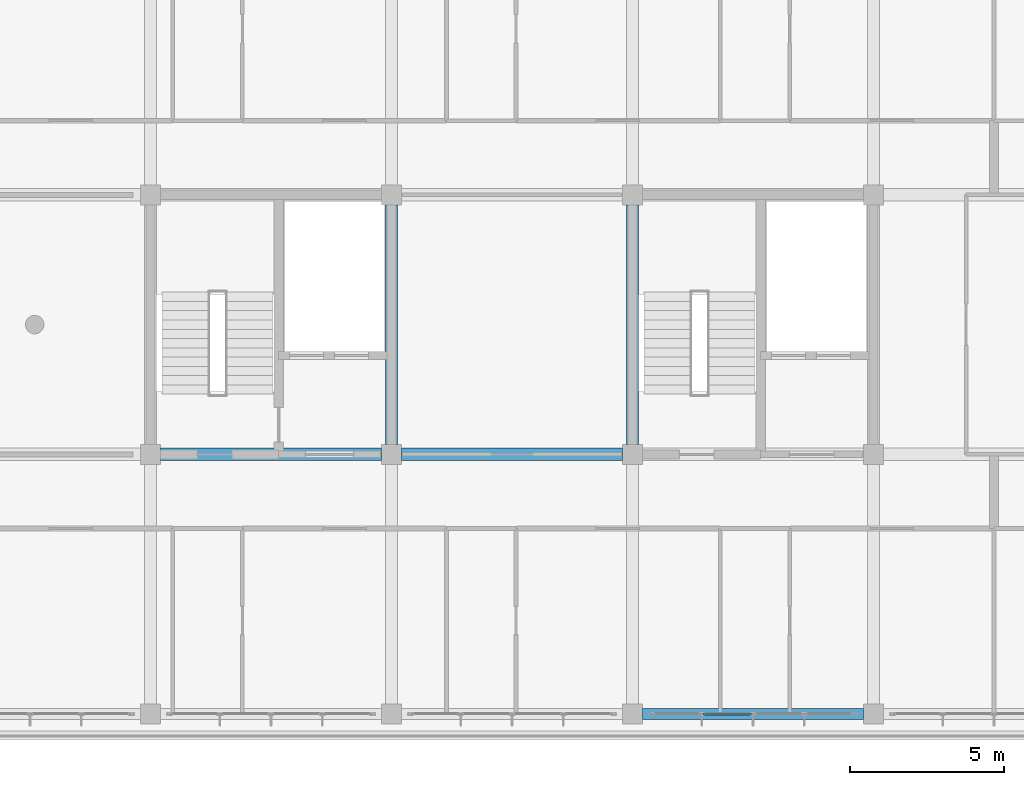
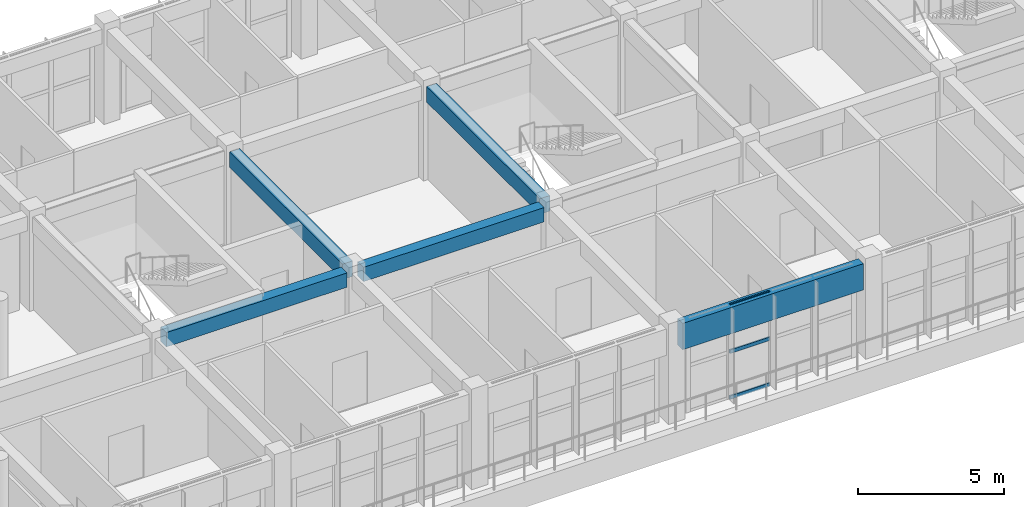
# One storey, part 14 of 57: 5 beams, 3 members, 1 element without a shape of its own.
"""IFC4 building model written with IfcOpenShell, lengths in metres."""

import ifcopenshell
import ifcopenshell.guid

model = None  # the IFC model being written
_history = None  # IfcOwnerHistory: only IFC2X3 demands one
_inside = {}  # id of a spatial element -> (the spatial element, [elements in it])
_under = {}  # id of a project, library or spatial element -> (it, [spatial elements below it])
_declared = {}  # id of a project -> (the project, [libraries it declares])
_typed = {}  # id of a type object -> (the type object, [elements of that type])
_made_of = {}  # id of a material, layer set ... -> (it, [elements and type objects made of it])


def new_model(schema):
    """Start an empty IFC model of exactly this schema.

    Asked for "IFC4X3", IfcOpenShell would pick the latest addendum, in which some entities
    have other attributes; the version numbers below select the first issue.
    IFC2X3 requires an IfcOwnerHistory on every rooted entity: one is made here for all.
    """
    global model, _history
    if schema == "IFC4X3":
        model = ifcopenshell.file(schema_version=(4, 3, 0, 0))
    else:
        model = ifcopenshell.file(schema=schema)
    _inside.clear()
    _under.clear()
    _declared.clear()
    _typed.clear()
    _made_of.clear()
    _history = None
    if model.schema == "IFC2X3":
        org = make("IfcOrganization", Name="unknown")
        user = make(
            "IfcPersonAndOrganization",
            ThePerson=make("IfcPerson", FamilyName="unknown"),
            TheOrganization=org,
        )
        app = make(
            "IfcApplication",
            ApplicationDeveloper=org,
            Version="unknown",
            ApplicationFullName="unknown",
            ApplicationIdentifier="unknown",
        )
        _history = make(
            "IfcOwnerHistory",
            OwningUser=user,
            OwningApplication=app,
            ChangeAction="ADDED",
            CreationDate=0,
        )
    return model


def make(cls, **values):
    """One entity of the class cls with the attributes given. An attribute that is None is left unset."""
    return model.create_entity(
        cls, **{name: value for name, value in values.items() if value is not None}
    )


def rooted(cls, **values):
    """An entity with a GlobalId (a new one), such as an element, a storey or a relation."""
    return make(cls, GlobalId=ifcopenshell.guid.new(), OwnerHistory=_history, **values)


def si_unit(unit_type, name, prefix=None):
    """IfcSIUnit, for example si_unit("LENGTHUNIT", "METRE", prefix="MILLI")."""
    return make("IfcSIUnit", UnitType=unit_type, Prefix=prefix, Name=name)


def assignment(units):
    """IfcUnitAssignment: the units of a project."""
    return None if units is None else make("IfcUnitAssignment", Units=units)


def point(xyz):
    """IfcCartesianPoint."""
    return None if xyz is None else make("IfcCartesianPoint", Coordinates=xyz)


def direction(xyz):
    """IfcDirection."""
    return None if xyz is None else make("IfcDirection", DirectionRatios=xyz)


def frame(location, z_axis=None, x_axis=None):
    """IfcAxis2Placement3D, a coordinate frame: its origin and axes. An axis left out is left unset."""
    return make(
        "IfcAxis2Placement3D",
        Location=point(location),
        Axis=direction(z_axis),
        RefDirection=direction(x_axis),
    )


def frame_2d(location, x_axis=None):
    """IfcAxis2Placement2D, a coordinate frame in the plane: its origin and x axis."""
    return make(
        "IfcAxis2Placement2D", Location=point(location), RefDirection=direction(x_axis)
    )


def origin():
    """The frame at (0, 0, 0) with its axes left unset."""
    return frame((0.0, 0.0, 0.0))


def origin_2d():
    """The frame at (0, 0) in the plane with its x axis left unset."""
    return frame_2d((0.0, 0.0))


def place(relative_to, where):
    """IfcLocalPlacement: puts the frame where relative to a parent placement (None: the world)."""
    return make(
        "IfcLocalPlacement", PlacementRelTo=relative_to, RelativePlacement=where
    )


def context(
    kind, dimensions, precision=None, world=None, true_north=None, identifier=None
):
    """IfcGeometricRepresentationContext, for example the 3D "Model" context."""
    return make(
        "IfcGeometricRepresentationContext",
        ContextIdentifier=identifier,
        ContextType=kind,
        CoordinateSpaceDimension=dimensions,
        Precision=precision,
        WorldCoordinateSystem=world,
        TrueNorth=true_north,
    )


def subcontext(parent, identifier, kind, view, scale=None):
    """IfcGeometricRepresentationSubContext, for example "Body" below "Model"."""
    return make(
        "IfcGeometricRepresentationSubContext",
        ContextIdentifier=identifier,
        ContextType=kind,
        ParentContext=parent,
        TargetScale=scale,
        TargetView=view,
    )


def project(units=None, contexts=None):
    """IfcProject with its units and contexts."""
    return rooted(
        "IfcProject",
        Name="project",
        RepresentationContexts=contexts,
        UnitsInContext=assignment(units),
    )


def spatial(cls, under=None, at=None, **own):
    """A site, building, storey or space (cls), placed at a placement, below another one or the project."""
    s = rooted(cls, ObjectPlacement=at, **own)
    if under is not None:
        _under.setdefault(under.id(), (under, []))[1].append(s)
    return s


def profile(cls, at=None, kind="AREA", **sizes):
    """A parametric profile (cls). Its sizes go by their IFC names, for example OverallWidth=200.0."""
    return make(cls, ProfileType=kind, Position=at, **sizes)


def rectangle(**sizes):
    """IfcRectangleProfileDef."""
    return profile("IfcRectangleProfileDef", **sizes)


def hollow_rectangle(**sizes):
    """IfcRectangleHollowProfileDef."""
    return profile("IfcRectangleHollowProfileDef", **sizes)


def extrude(swept, where, along, depth):
    """IfcExtrudedAreaSolid: the profile swept, set in the frame where, extruded along a direction by depth."""
    return make(
        "IfcExtrudedAreaSolid",
        SweptArea=swept,
        Position=where,
        ExtrudedDirection=direction(along),
        Depth=depth,
    )


def shape(context_of_items, identifier, shape_type, items):
    """IfcShapeRepresentation: the items that make up one representation, for example the "Body"."""
    return make(
        "IfcShapeRepresentation",
        ContextOfItems=context_of_items,
        RepresentationIdentifier=identifier,
        RepresentationType=shape_type,
        Items=items,
    )


def material(Name=None, Category=None):
    """IfcMaterial."""
    return make("IfcMaterial", Name=Name, Category=Category)


def layer(
    of_material, thickness, ventilated=None, Name=None, Category=None, Priority=None
):
    """IfcMaterialLayer: one layer of a wall or slab, of a material (None: an air gap)."""
    return make(
        "IfcMaterialLayer",
        Material=of_material,
        LayerThickness=thickness,
        IsVentilated=ventilated,
        Name=Name,
        Category=Category,
        Priority=Priority,
    )


def layer_set(layers, Name=None):
    """IfcMaterialLayerSet."""
    return make("IfcMaterialLayerSet", MaterialLayers=layers, LayerSetName=Name)


def material_profile(
    of_material, cross_section, Name=None, Category=None, Priority=None
):
    """IfcMaterialProfile: a cross section and its material."""
    return make(
        "IfcMaterialProfile",
        Name=Name,
        Material=of_material,
        Profile=cross_section,
        Priority=Priority,
        Category=Category,
    )


def profile_set(profiles, Name=None, composite=None):
    """IfcMaterialProfileSet."""
    return make(
        "IfcMaterialProfileSet",
        Name=Name,
        MaterialProfiles=profiles,
        CompositeProfile=composite,
    )


def made_of(thing, what):
    """Note that an element or type object is made of a material, layer set ...; save() writes the relation."""
    if what is not None:
        _made_of.setdefault(what.id(), (what, []))[1].append(thing)
    return thing


def type_object(cls, material=None, **own):
    """A type object (cls), such as IfcWallType, which elements share."""
    return made_of(rooted(cls, **own), material)


def element(
    cls,
    number,
    at=None,
    inside=None,
    cuts=None,
    type_object=None,
    material=None,
    context=None,
    identifier="Body",
    shape_type=None,
    held_by="IfcProductDefinitionShape",
    body=None,
    shapes=None,
    **own,
):
    """One element of the class cls, such as IfcWall. Its Tag is "e" and its number.

    at: its placement. inside: the storey or other place that contains it. cuts: it is an
    opening in that element (IfcRelVoidsElement). A single representation is given by context,
    identifier, shape_type and body (its items); several are given by shapes. held_by: the class
    of the entity that holds the representations. save() writes the other relations.
    """
    e = rooted(cls, Tag="e%d" % number, ObjectPlacement=at, **own)
    if body is not None:
        shapes = [shape(context, identifier, shape_type, body)]
    if shapes is not None:
        e.Representation = make(held_by, Representations=shapes)
    if inside is not None:
        _inside.setdefault(inside.id(), (inside, []))[1].append(e)
    if cuts is not None:
        rooted(
            "IfcRelVoidsElement", RelatingBuildingElement=cuts, RelatedOpeningElement=e
        )
    if type_object is not None:
        _typed.setdefault(type_object.id(), (type_object, []))[1].append(e)
    return made_of(e, material)


def aggregate(whole, parts):
    """IfcRelAggregates: a whole, such as a stair, and the parts it consists of."""
    return rooted("IfcRelAggregates", RelatingObject=whole, RelatedObjects=parts)


def save(model, path):
    """Write the relations noted so far, then the file.

    IfcRelAggregates (storeys below a building ...), IfcRelContainedInSpatialStructure (elements
    in a storey), IfcRelDefinesByType, IfcRelAssociatesMaterial and IfcRelDeclares: one each for
    every whole, place, type object, material and project.
    """
    for whole, parts in _under.values():
        aggregate(whole, parts)
    for where, things in _inside.values():
        rooted(
            "IfcRelContainedInSpatialStructure",
            RelatedElements=things,
            RelatingStructure=where,
        )
    for kind, things in _typed.values():
        rooted("IfcRelDefinesByType", RelatedObjects=things, RelatingType=kind)
    for what, things in _made_of.values():
        rooted("IfcRelAssociatesMaterial", RelatedObjects=things, RelatingMaterial=what)
    for by, libraries in _declared.values():
        rooted("IfcRelDeclares", RelatingContext=by, RelatedDefinitions=libraries)
    model.write(path)


model = new_model("IFC4")

# Units and contexts
model_context = context("Model", 3, precision=1e-05, world=origin(), true_north=direction((0.0, 1.0)))
body_context = subcontext(model_context, "Body", "Model", "MODEL_VIEW")
ifc_project = project(units=[si_unit("LENGTHUNIT", "METRE"), si_unit("AREAUNIT", "SQUARE_METRE"), si_unit("VOLUMEUNIT", "CUBIC_METRE"), si_unit("PLANEANGLEUNIT", "RADIAN"), si_unit("MASSUNIT", "GRAM", prefix="KILO")], contexts=[model_context])

# Site, building, storey
site_placement = place(None, origin())
site = spatial("IfcSite", under=ifc_project, at=site_placement, CompositionType="ELEMENT")
building_placement = place(site_placement, origin())
building = spatial("IfcBuilding", under=site, at=building_placement, Name="Zizhar Promenade General Hospital", CompositionType="ELEMENT")
storey_placement = place(building_placement, frame((0.0, 0.0, 22.199951171875)))
storey = spatial("IfcBuildingStorey", under=building, at=storey_placement, Name="L05", CompositionType="ELEMENT", Elevation=22.199951171875)

# Beams
ifc_material_1 = material(Name="Precast concrete C40/50", Category="concrete")
ifc_material_profile_1 = material_profile(ifc_material_1, rectangle(XDim=0.35009765625, YDim=1.10009765625, at=origin_2d()))
ifc_profile_set_1 = profile_set([ifc_material_profile_1], Name="Precast concrete C40/50")
beam_type_1 = type_object("IfcBeamType", Name="BM-PC-BAND1100", PredefinedType="SPANDREL", material=ifc_profile_set_1)
beam_placement = place(storey_placement, frame((62.72509765625, 0.0, 3.360107421875), z_axis=(1.0, 0.0, 0.0), x_axis=(0.0, 1.0, 0.0)))
element("IfcBeam", 1, at=beam_placement, inside=storey, type_object=beam_type_1, Name="Grid Beam X L05 (8-0)", PredefinedType="SPANDREL", context=body_context, shape_type="SweptSolid", body=[
    extrude(rectangle(XDim=0.35009765625, YDim=1.10009765625, at=origin_2d()), origin(), (0.0, 0.0, 1.0), 7.14990234375),
])
ifc_material_2 = material(Name="Concrete C35/45", Category="concrete")
ifc_material_profile_2 = material_profile(ifc_material_2, rectangle(XDim=0.39990234375, YDim=0.60009765625, at=origin_2d()))
ifc_profile_set_2 = profile_set([ifc_material_profile_2], Name="Concrete C35/45")
beam_type_2 = type_object("IfcBeamType", Name="BM-RC-400x600", PredefinedType="JOIST", material=ifc_profile_set_2)
for number, where, z_axis, x_axis, name in (
    (2, (47.125, 8.39990234375, 3.610107421875), (1.0, 0.0, 0.0), (0.0, 1.0, 0.0), "Grid Beam X L05 (6-1)"),
    (3, (54.925048828125, 8.39990234375, 3.610107421875), (1.0, 0.0, 0.0), (0.0, 1.0, 0.0), "Grid Beam X L05 (7-1)"),
):
    element("IfcBeam", number, at=place(storey_placement, frame(where, z_axis=z_axis, x_axis=x_axis)), inside=storey, type_object=beam_type_2, Name=name, PredefinedType="JOIST", context=body_context, shape_type="SweptSolid", body=[
        extrude(rectangle(XDim=0.39990234375, YDim=0.60009765625, at=origin_2d()), origin(), (0.0, 0.0, 1.0), 7.14990234375),
    ])
ifc_material_3 = material(Name="Concrete C35/45", Category="concrete")
ifc_material_profile_3 = material_profile(ifc_material_3, rectangle(XDim=0.39990234375, YDim=0.64990234375, at=origin_2d()))
ifc_profile_set_3 = profile_set([ifc_material_profile_3], Name="Concrete C35/45")
beam_type_3 = type_object("IfcBeamType", Name="BM-RC-400x650", PredefinedType="BEAM", material=ifc_profile_set_3)
for number, where, z_axis, x_axis, name in (
    (4, (54.60009765625, 8.72509765625, 3.5849609375), (0.0, 1.0, 0.0), (-1.0, 0.0, 0.0), "Grid Beam Y L05 (7-1)"),
    (5, (62.39990234375, 8.72509765625, 3.5849609375), (0.0, 1.0, 0.0), (-1.0, 0.0, 0.0), "Grid Beam Y L05 (8-1)"),
):
    element("IfcBeam", number, at=place(storey_placement, frame(where, z_axis=z_axis, x_axis=x_axis)), inside=storey, type_object=beam_type_3, Name=name, PredefinedType="BEAM", context=body_context, shape_type="SweptSolid", body=[
        extrude(rectangle(XDim=0.39990234375, YDim=0.64990234375, at=origin_2d()), origin(), (0.0, 0.0, 1.0), 7.75),
    ])

# Curtain wall, members
ifc_material_4 = material(Name="Anodised aluminium 6063-T6 and low-E glass", Category="aluminium")
ifc_layer = layer(ifc_material_4, 0.159912109375)
ifc_layer_set = layer_set([ifc_layer], Name="Anodised aluminium 6063-T6 and low-E glass")
curtain_wall_type = type_object("IfcCurtainWallType", Name="CW-WARD-RIB", PredefinedType="NOTDEFINED", material=ifc_layer_set)
curtain_wall_placement = place(storey_placement, origin())
curtain_wall = element("IfcCurtainWall", 6, at=curtain_wall_placement, inside=storey, type_object=curtain_wall_type, Name="Ward Ribbon Curtain Wall L05-17-6", PredefinedType="NOTDEFINED")
ifc_material_5 = material(Name="Anodised aluminium 6063-T6", Category="aluminium")
ifc_material_profile_4 = material_profile(ifc_material_5, hollow_rectangle(XDim=0.06005859375, YDim=0.14990234375, WallThickness=0.00390625, at=origin_2d()))
ifc_profile_set_4 = profile_set([ifc_material_profile_4], Name="Anodised aluminium 6063-T6")
member_type = type_object("IfcMemberType", Name="CWT-ALU-150x60", PredefinedType="USERDEFINED", material=ifc_profile_set_4)
member_1_placement = place(storey_placement, frame((66.260009765625, 0.0, 0.030029296875), z_axis=(-1.0, 0.0, 0.0), x_axis=(0.0, -1.0, 0.0)))
member_1 = element("IfcMember", 7, at=member_1_placement, type_object=member_type, Name="CW-13 transom 3.1", ObjectType="TRANSOM", PredefinedType="USERDEFINED", context=body_context, shape_type="SweptSolid", body=[
    extrude(hollow_rectangle(XDim=0.06005859375, YDim=0.14990234375, WallThickness=0.00390625, at=origin_2d()), origin(), (0.0, 0.0, 1.0), 1.580078125),
])
member_2_placement = place(storey_placement, frame((66.260009765625, 0.0, 1.949951171875), z_axis=(-1.0, 0.0, 0.0), x_axis=(0.0, -1.0, 0.0)))
member_2 = element("IfcMember", 8, at=member_2_placement, type_object=member_type, Name="CW-13 transom 3.2", ObjectType="TRANSOM", PredefinedType="USERDEFINED", context=body_context, shape_type="SweptSolid", body=[
    extrude(hollow_rectangle(XDim=0.06005859375, YDim=0.14990234375, WallThickness=0.00390625, at=origin_2d()), origin(), (0.0, 0.0, 1.0), 1.580078125),
])
member_3_placement = place(storey_placement, frame((66.260009765625, 0.0, 3.8701171875), z_axis=(-1.0, 0.0, 0.0), x_axis=(0.0, -1.0, 0.0)))
member_3 = element("IfcMember", 9, at=member_3_placement, type_object=member_type, Name="CW-13 transom 3.3", ObjectType="TRANSOM", PredefinedType="USERDEFINED", context=body_context, shape_type="SweptSolid", body=[
    extrude(hollow_rectangle(XDim=0.06005859375, YDim=0.14990234375, WallThickness=0.00390625, at=origin_2d()), origin(), (0.0, 0.0, 1.0), 1.580078125),
])
aggregate(curtain_wall, [member_1, member_2, member_3])

save(model, "model.ifc")
